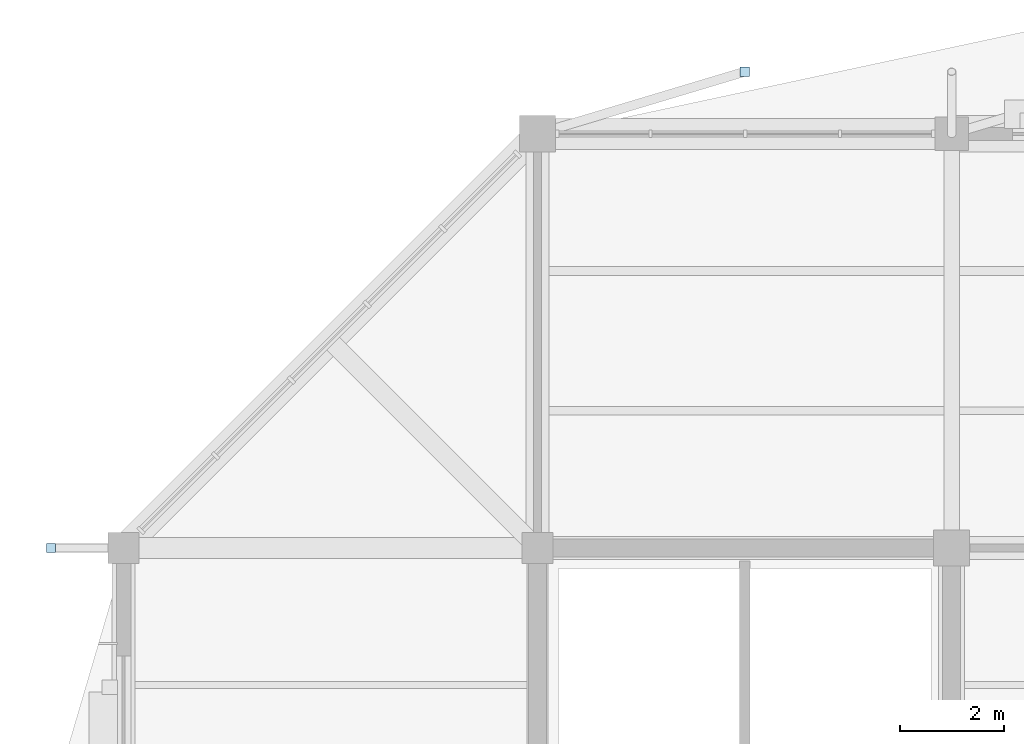
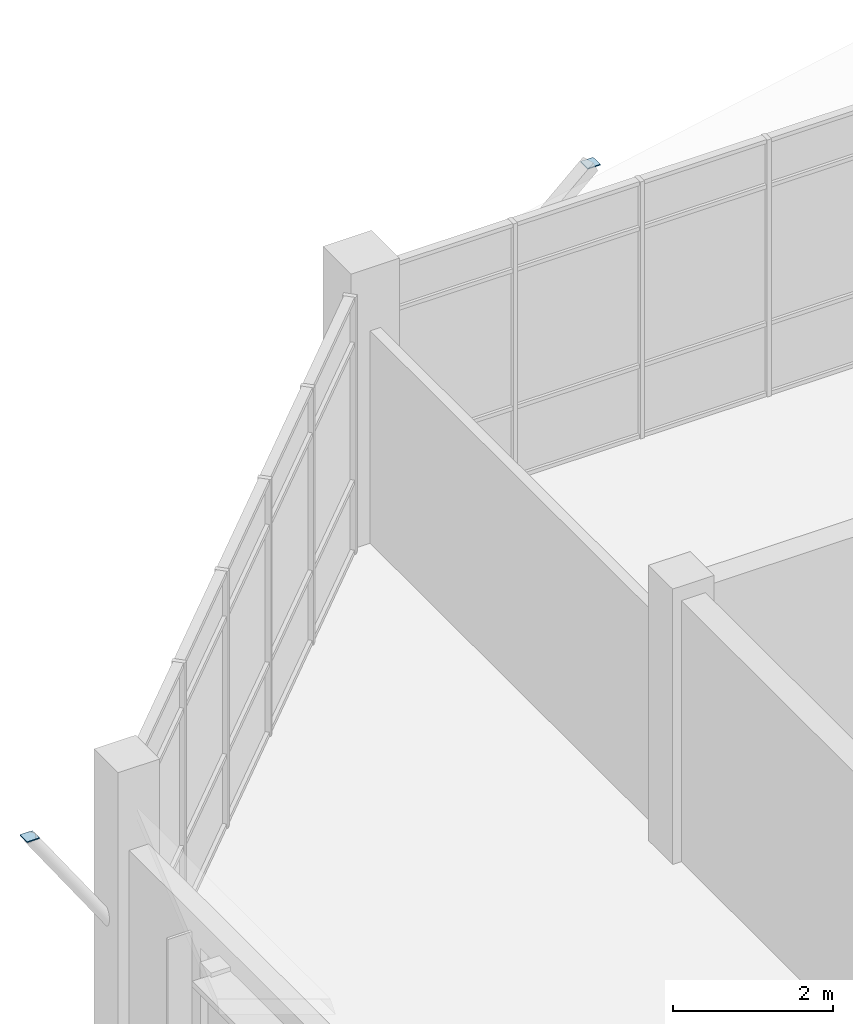
# One storey, part 70 of 84: 2 plates.
"""IFC4 building model written with IfcOpenShell, lengths in metres."""

from ifc_helpers import new_model, si_unit, direction, frame, origin, origin_2d, place, context, subcontext, project, spatial, rectangle, extrude, material, layer, layer_set, type_object, element, save


model = new_model("IFC4")

# Units and contexts
model_context = context("Model", 3, precision=1e-05, world=origin(), true_north=direction((0.0, 1.0)))
body_context = subcontext(model_context, "Body", "Model", "MODEL_VIEW")
ifc_project = project(units=[si_unit("LENGTHUNIT", "METRE"), si_unit("AREAUNIT", "SQUARE_METRE"), si_unit("VOLUMEUNIT", "CUBIC_METRE"), si_unit("PLANEANGLEUNIT", "RADIAN"), si_unit("MASSUNIT", "GRAM", prefix="KILO")], contexts=[model_context])

# Site, building, storey
site_placement = place(None, origin())
site = spatial("IfcSite", under=ifc_project, at=site_placement, CompositionType="ELEMENT")
building_placement = place(site_placement, origin())
building = spatial("IfcBuilding", under=site, at=building_placement, Name="Tenunan Teduh Sports Hall", CompositionType="ELEMENT")
storey_placement = place(building_placement, frame((0.0, 0.0, 10.800048828125)))
storey = spatial("IfcBuildingStorey", under=building, at=storey_placement, Name="L02", CompositionType="ELEMENT", Elevation=10.800048828125)

# Plates
ifc_material = material(Name="Steel S355", Category="steel")
ifc_layer = layer(ifc_material, 0.01611328125)
ifc_layer_set = layer_set([ifc_layer], Name="Steel S355")
plate_type = type_object("IfcPlateType", Name="PLT-CAP-180", PredefinedType="SHEET", material=ifc_layer_set)
for number, where, z_axis, x_axis, name in (
    (1, (18.0, 119.199951171875, 3.419921875), (0.0, 0.0, 1.0), (1.0, 0.0, 0.0), "PLT-CAP-L02-015"),
    (2, (4.60009765625, 110.0, 3.419921875), (0.0, 0.0, 1.0), (1.0, 0.0, 0.0), "PLT-CAP-L02-017"),
):
    element("IfcPlate", number, at=place(storey_placement, frame(where, z_axis=z_axis, x_axis=x_axis)), inside=storey, type_object=plate_type, Name=name, PredefinedType="SHEET", context=body_context, shape_type="SweptSolid", body=[
        extrude(rectangle(XDim=0.179931640625, YDim=0.179931640625, at=origin_2d()), origin(), (0.0, 0.0, 1.0), 0.01611328125),
    ])

save(model, "model.ifc")
